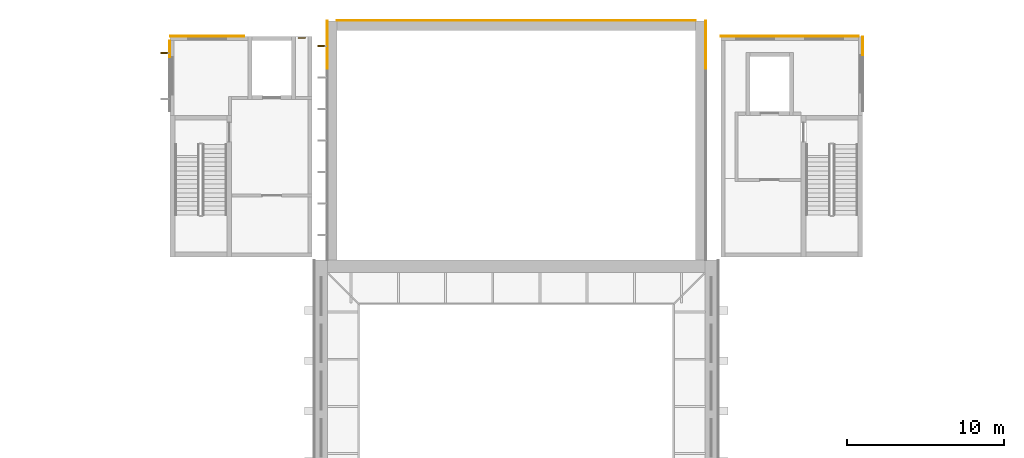
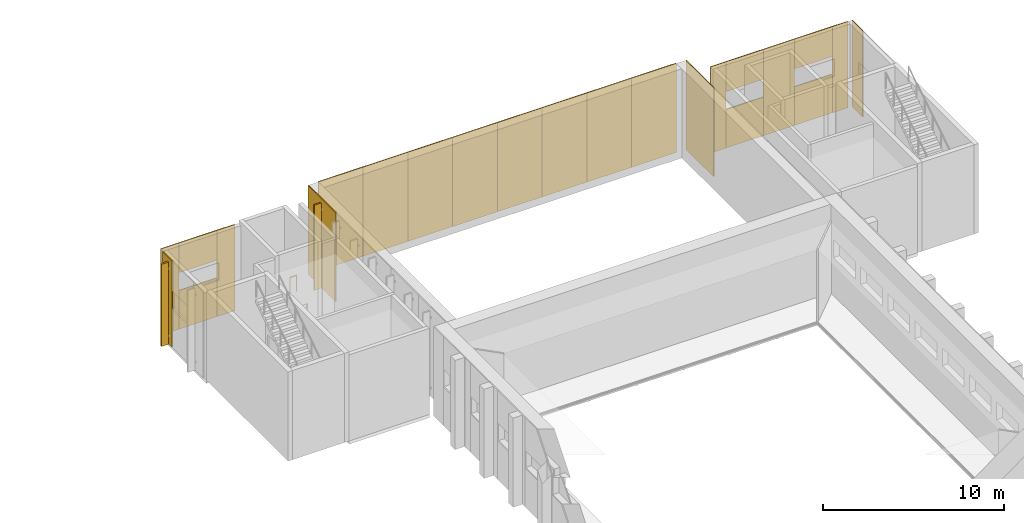
# One storey, part 22 of 22: 23 coverings, 2 shading devices, 1 railing.
"""IFC4 building model written with IfcOpenShell, lengths in metres."""

from ifc_helpers import new_model, si_unit, direction, frame, origin, origin_2d, place, context, subcontext, project, spatial, rectangle, circle, extrude, material, layer, layer_set, type_object, element, save


model = new_model("IFC4")

# Units and contexts
model_context = context("Model", 3, precision=1e-05, world=origin(), true_north=direction((0.0, 1.0)))
body_context = subcontext(model_context, "Body", "Model", "MODEL_VIEW")
ifc_project = project(units=[si_unit("LENGTHUNIT", "METRE"), si_unit("AREAUNIT", "SQUARE_METRE"), si_unit("VOLUMEUNIT", "CUBIC_METRE"), si_unit("PLANEANGLEUNIT", "RADIAN"), si_unit("MASSUNIT", "GRAM", prefix="KILO")], contexts=[model_context])

# Site, building, storey
site_placement = place(None, origin())
site = spatial("IfcSite", under=ifc_project, at=site_placement, CompositionType="ELEMENT")
building_placement = place(site_placement, origin())
building = spatial("IfcBuilding", under=site, at=building_placement, Name="Lunette Opera House", CompositionType="ELEMENT")
storey_placement = place(building_placement, frame((0.0, 0.0, 28.0)))
storey = spatial("IfcBuildingStorey", under=building, at=storey_placement, Name="L05", CompositionType="ELEMENT", Elevation=28.0)

# Railing
ifc_material_1 = material(Name="Steel S355", Category="steel")
railing_type = type_object("IfcRailingType", Name="DECK GUARD 1100", PredefinedType="GUARDRAIL", material=ifc_material_1)
railing_placement = place(storey_placement, frame((82.580078125, 134.919921875, 0.0)))
element("IfcRailing", 1, at=railing_placement, inside=storey, type_object=railing_type, Name="Deck guard 046", PredefinedType="GUARDRAIL", context=body_context, shape_type="SweptSolid", body=[
    extrude(circle(Radius=0.02392578125, at=origin_2d()), frame((0.0, 0.0, 1.076171875), z_axis=(-1.0, 0.0, 0.0), x_axis=(0.0, -1.0, 0.0)), (0.0, 0.0, 1.0), 0.420166015625),
    extrude(circle(Radius=0.02099609375, at=origin_2d()), origin(), (0.0, 0.0, 1.0), 1.052001953125),
    extrude(circle(Radius=0.02099609375, at=origin_2d()), frame((-0.420166015625, 0.0, 0.0)), (0.0, 0.0, 1.0), 1.052001953125),
])

# Shading devices
ifc_material_2 = material(Name="Powder-coated aluminium", Category="aluminium")
shading_device_type = type_object("IfcShadingDeviceType", Name="SOLAR FIN 100 X 450", PredefinedType="USERDEFINED", material=ifc_material_2)
shading_device_1_placement = place(storey_placement, frame((83.614990234375, 134.39990234375, 0.115234375), z_axis=(0.0, 0.0, 1.0), x_axis=(-1.0, 0.0, 0.0)))
element("IfcShadingDevice", 2, at=shading_device_1_placement, inside=storey, type_object=shading_device_type, Name="Solar fin ST-W089 7", ObjectType="SOLAR FIN", PredefinedType="USERDEFINED", context=body_context, shape_type="SweptSolid", body=[
    extrude(rectangle(XDim=0.449951171875, YDim=0.10009765625, at=origin_2d()), origin(), (0.0, 0.0, 1.0), 5.735107421875),
])
shading_device_2_placement = place(storey_placement, frame((73.614990234375, 133.949951171875, 0.11572265625), z_axis=(0.0, 0.0, 1.0), x_axis=(-1.0, 0.0, 0.0)))
element("IfcShadingDevice", 3, at=shading_device_2_placement, inside=storey, type_object=shading_device_type, Name="Solar fin ST-W2042 1", ObjectType="SOLAR FIN", PredefinedType="USERDEFINED", context=body_context, shape_type="SweptSolid", body=[
    extrude(rectangle(XDim=0.449951171875, YDim=0.10009765625, at=origin_2d()), origin(), (0.0, 0.0, 1.0), 5.534912109375),
])

# Coverings
ifc_material_3 = material(Name="Aluminium standing seam cladding", Category="aluminium")
ifc_layer = layer(ifc_material_3, 0.06005859375)
ifc_layer_set = layer_set([ifc_layer], Name="Aluminium standing seam cladding")
covering_type = type_object("IfcCoveringType", Name="STANDING SEAM CLADDING 60", PredefinedType="CLADDING", material=ifc_layer_set)
for number, where, z_axis, x_axis, name in (
    (4, (83.969970703125, 134.47998046875, 0.0), (0.0, 0.0, 1.0), (0.0, 1.0, 0.0), "Standing seam cladding SR-W-1 L05 04"),
    (5, (108.030029296875, 134.47998046875, 0.0), (0.0, 0.0, 1.0), (0.0, 1.0, 0.0), "Standing seam cladding SR-E-1 L05 04"),
):
    element("IfcCovering", number, at=place(storey_placement, frame(where, z_axis=z_axis, x_axis=x_axis)), inside=storey, type_object=covering_type, Name=name, PredefinedType="CLADDING", context=body_context, shape_type="SweptSolid", body=[
        extrude(rectangle(XDim=3.0400390625, YDim=0.06005859375, at=origin_2d()), origin(), (0.0, 0.0, 1.0), 6.0),
    ])
for number, where, z_axis, x_axis, name in (
    (6, (86.02490234375, 136.030029296875, 0.0), (0.0, 0.0, 1.0), (1.0, 0.0, 0.0), "Standing seam cladding SR-N-1 L05 00"),
    (7, (88.875, 136.030029296875, 0.0), (0.0, 0.0, 1.0), (1.0, 0.0, 0.0), "Standing seam cladding SR-N-1 L05 01"),
    (8, (91.72509765625, 136.030029296875, 0.0), (0.0, 0.0, 1.0), (1.0, 0.0, 0.0), "Standing seam cladding SR-N-1 L05 02"),
    (9, (94.574951171875, 136.030029296875, 0.0), (0.0, 0.0, 1.0), (1.0, 0.0, 0.0), "Standing seam cladding SR-N-1 L05 03"),
    (10, (97.425048828125, 136.030029296875, 0.0), (0.0, 0.0, 1.0), (1.0, 0.0, 0.0), "Standing seam cladding SR-N-1 L05 04"),
    (11, (100.27490234375, 136.030029296875, 0.0), (0.0, 0.0, 1.0), (1.0, 0.0, 0.0), "Standing seam cladding SR-N-1 L05 05"),
    (12, (103.125, 136.030029296875, 0.0), (0.0, 0.0, 1.0), (1.0, 0.0, 0.0), "Standing seam cladding SR-N-1 L05 06"),
    (13, (105.97509765625, 136.030029296875, 0.0), (0.0, 0.0, 1.0), (1.0, 0.0, 0.0), "Standing seam cladding SR-N-1 L05 07"),
):
    element("IfcCovering", number, at=place(storey_placement, frame(where, z_axis=z_axis, x_axis=x_axis)), inside=storey, type_object=covering_type, Name=name, PredefinedType="CLADDING", context=body_context, shape_type="SweptSolid", body=[
        extrude(rectangle(XDim=2.85009765625, YDim=0.06005859375, at=origin_2d()), origin(), (0.0, 0.0, 1.0), 6.0),
    ])
covering_1_placement = place(storey_placement, frame((78.126953125, 135.030029296875, 0.0), z_axis=(0.0, 0.0, 1.0), x_axis=(-1.0, 0.0, 0.0)))
element("IfcCovering", 14, at=covering_1_placement, inside=storey, type_object=covering_type, Name="Standing seam cladding TW41 L05 00", PredefinedType="CLADDING", context=body_context, shape_type="SweptSolid", body=[
    extrude(rectangle(XDim=1.15087890625, YDim=0.06005859375, at=origin_2d()), origin(), (0.0, 0.0, 1.0), 5.800048828125),
])
covering_2_placement = place(storey_placement, frame((76.35205078125, 135.030029296875, 0.0), z_axis=(0.0, 0.0, 1.0), x_axis=(-1.0, 0.0, 0.0)))
element("IfcCovering", 15, at=covering_2_placement, inside=storey, type_object=covering_type, Name="Standing seam cladding TW41 L05 10", PredefinedType="CLADDING", context=body_context, shape_type="SweptSolid", body=[
    extrude(rectangle(XDim=2.39990234375, YDim=0.06005859375, at=origin_2d()), origin(), (0.0, 0.0, 1.0), 2.60009765625),
])
covering_3_placement = place(storey_placement, frame((76.35205078125, 135.030029296875, 3.800048828125), z_axis=(0.0, 0.0, 1.0), x_axis=(-1.0, 0.0, 0.0)))
element("IfcCovering", 16, at=covering_3_placement, inside=storey, type_object=covering_type, Name="Standing seam cladding TW41 L05 11", PredefinedType="CLADDING", context=body_context, shape_type="SweptSolid", body=[
    extrude(rectangle(XDim=2.39990234375, YDim=0.06005859375, at=origin_2d()), origin(), (0.0, 0.0, 1.0), 2.0),
])
covering_4_placement = place(storey_placement, frame((74.575927734375, 135.030029296875, 0.0), z_axis=(0.0, 0.0, 1.0), x_axis=(-1.0, 0.0, 0.0)))
element("IfcCovering", 17, at=covering_4_placement, inside=storey, type_object=covering_type, Name="Standing seam cladding TW41 L05 20", PredefinedType="CLADDING", context=body_context, shape_type="SweptSolid", body=[
    extrude(rectangle(XDim=1.152099609375, YDim=0.06005859375, at=origin_2d()), origin(), (0.0, 0.0, 1.0), 5.800048828125),
])
covering_5_placement = place(storey_placement, frame((73.969970703125, 134.22509765625, 0.0), z_axis=(0.0, 0.0, 1.0), x_axis=(0.0, -1.0, 0.0)))
element("IfcCovering", 18, at=covering_5_placement, inside=storey, type_object=covering_type, Name="Standing seam cladding TW42 L05 00", PredefinedType="CLADDING", context=body_context, shape_type="SweptSolid", body=[
    extrude(rectangle(XDim=1.050048828125, YDim=0.06005859375, at=origin_2d()), origin(), (0.0, 0.0, 1.0), 5.800048828125),
])
covering_6_placement = place(storey_placement, frame((118.030029296875, 134.412109375, 0.0), z_axis=(0.0, 0.0, 1.0), x_axis=(0.0, 1.0, 0.0)))
element("IfcCovering", 19, at=covering_6_placement, inside=storey, type_object=covering_type, Name="Standing seam cladding TE47 L05 20", PredefinedType="CLADDING", context=body_context, shape_type="SweptSolid", body=[
    extrude(rectangle(XDim=1.175048828125, YDim=0.06005859375, at=origin_2d()), origin(), (0.0, 0.0, 1.0), 5.800048828125),
])
covering_7_placement = place(storey_placement, frame((117.256103515625, 135.030029296875, 0.0), z_axis=(0.0, 0.0, 1.0), x_axis=(-1.0, 0.0, 0.0)))
element("IfcCovering", 20, at=covering_7_placement, inside=storey, type_object=covering_type, Name="Standing seam cladding TE48 L05 00", PredefinedType="CLADDING", context=body_context, shape_type="SweptSolid", body=[
    extrude(rectangle(XDim=0.988037109375, YDim=0.06005859375, at=origin_2d()), origin(), (0.0, 0.0, 1.0), 5.800048828125),
])
covering_8_placement = place(storey_placement, frame((115.56201171875, 135.030029296875, 0.0), z_axis=(0.0, 0.0, 1.0), x_axis=(-1.0, 0.0, 0.0)))
element("IfcCovering", 21, at=covering_8_placement, inside=storey, type_object=covering_type, Name="Standing seam cladding TE48 L05 10", PredefinedType="CLADDING", context=body_context, shape_type="SweptSolid", body=[
    extrude(rectangle(XDim=2.39990234375, YDim=0.06005859375, at=origin_2d()), origin(), (0.0, 0.0, 1.0), 2.60009765625),
])
covering_9_placement = place(storey_placement, frame((115.56201171875, 135.030029296875, 3.800048828125), z_axis=(0.0, 0.0, 1.0), x_axis=(-1.0, 0.0, 0.0)))
element("IfcCovering", 22, at=covering_9_placement, inside=storey, type_object=covering_type, Name="Standing seam cladding TE48 L05 11", PredefinedType="CLADDING", context=body_context, shape_type="SweptSolid", body=[
    extrude(rectangle(XDim=2.39990234375, YDim=0.06005859375, at=origin_2d()), origin(), (0.0, 0.0, 1.0), 2.0),
])
covering_10_placement = place(storey_placement, frame((113.375, 135.030029296875, 0.0), z_axis=(0.0, 0.0, 1.0), x_axis=(-1.0, 0.0, 0.0)))
element("IfcCovering", 23, at=covering_10_placement, inside=storey, type_object=covering_type, Name="Standing seam cladding TE48 L05 20", PredefinedType="CLADDING", context=body_context, shape_type="SweptSolid", body=[
    extrude(rectangle(XDim=1.97509765625, YDim=0.06005859375, at=origin_2d()), origin(), (0.0, 0.0, 1.0), 5.800048828125),
])
covering_11_placement = place(storey_placement, frame((111.18798828125, 135.030029296875, 0.0), z_axis=(0.0, 0.0, 1.0), x_axis=(-1.0, 0.0, 0.0)))
element("IfcCovering", 24, at=covering_11_placement, inside=storey, type_object=covering_type, Name="Standing seam cladding TE48 L05 30", PredefinedType="CLADDING", context=body_context, shape_type="SweptSolid", body=[
    extrude(rectangle(XDim=2.39990234375, YDim=0.06005859375, at=origin_2d()), origin(), (0.0, 0.0, 1.0), 2.60009765625),
])
covering_12_placement = place(storey_placement, frame((111.18798828125, 135.030029296875, 3.800048828125), z_axis=(0.0, 0.0, 1.0), x_axis=(-1.0, 0.0, 0.0)))
element("IfcCovering", 25, at=covering_12_placement, inside=storey, type_object=covering_type, Name="Standing seam cladding TE48 L05 31", PredefinedType="CLADDING", context=body_context, shape_type="SweptSolid", body=[
    extrude(rectangle(XDim=2.39990234375, YDim=0.06005859375, at=origin_2d()), origin(), (0.0, 0.0, 1.0), 2.0),
])
covering_13_placement = place(storey_placement, frame((109.493896484375, 135.030029296875, 0.0), z_axis=(0.0, 0.0, 1.0), x_axis=(-1.0, 0.0, 0.0)))
element("IfcCovering", 26, at=covering_13_placement, inside=storey, type_object=covering_type, Name="Standing seam cladding TE48 L05 40", PredefinedType="CLADDING", context=body_context, shape_type="SweptSolid", body=[
    extrude(rectangle(XDim=0.987060546875, YDim=0.06005859375, at=origin_2d()), origin(), (0.0, 0.0, 1.0), 5.800048828125),
])

save(model, "model.ifc")
